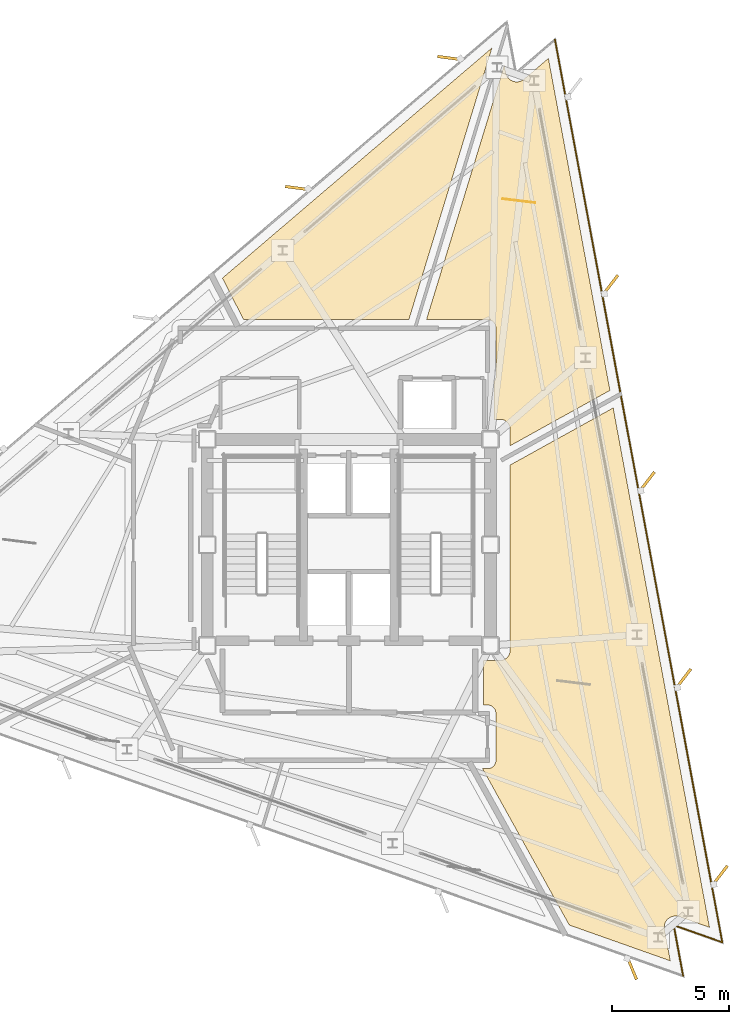
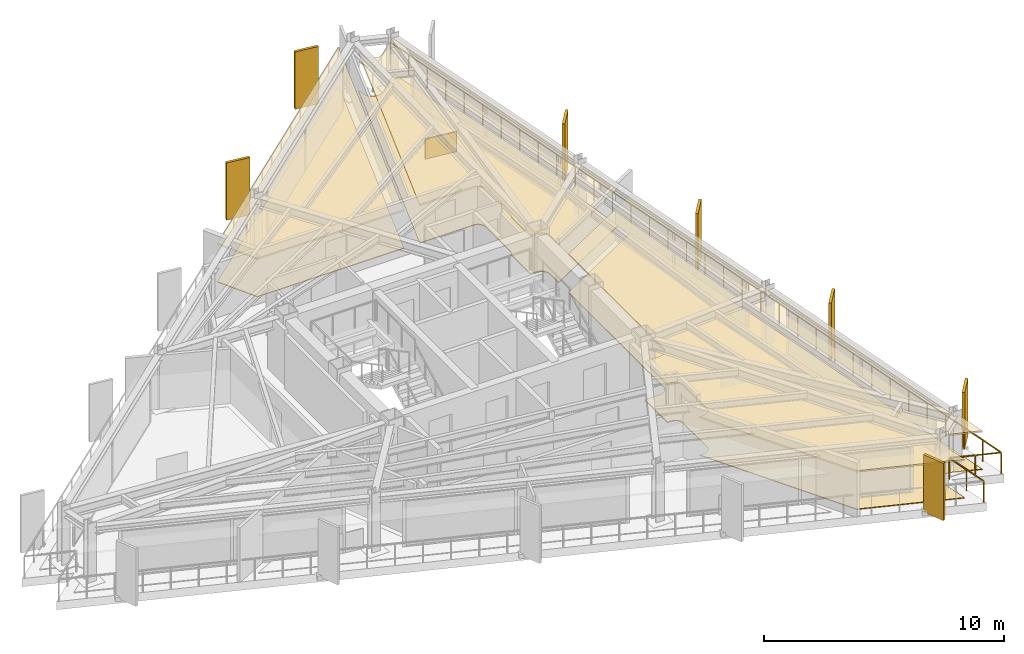
# One storey, part 13 of 14: 7 coverings, 7 shading devices, 1 railing.
"""IFC4 building model written with IfcOpenShell, lengths in metres."""

from ifc_helpers import new_model, si_unit, direction, frame, origin, origin_2d, place, context, subcontext, project, spatial, polyline, rectangle, outline, extrude, material, layer, layer_set, type_object, element, save


model = new_model("IFC4")

# Units and contexts
model_context = context("Model", 3, precision=1e-05, world=origin(), true_north=direction((0.0, 1.0)))
body_context = subcontext(model_context, "Body", "Model", "MODEL_VIEW")
ifc_project = project(units=[si_unit("LENGTHUNIT", "METRE"), si_unit("AREAUNIT", "SQUARE_METRE"), si_unit("VOLUMEUNIT", "CUBIC_METRE"), si_unit("PLANEANGLEUNIT", "RADIAN"), si_unit("MASSUNIT", "GRAM", prefix="KILO")], contexts=[model_context])

# Site, building, storey
site_placement = place(None, origin())
site = spatial("IfcSite", under=ifc_project, at=site_placement, CompositionType="ELEMENT")
building_placement = place(site_placement, origin())
building = spatial("IfcBuilding", under=site, at=building_placement, Name="Rocaltana Carrier Exchange", CompositionType="ELEMENT")
storey_placement = place(building_placement, frame((0.0, 0.0, 175.360107421875)))
storey = spatial("IfcBuildingStorey", under=building, at=storey_placement, Name="L55", CompositionType="ELEMENT", Elevation=175.360107421875)

# Coverings
ifc_material_1 = material(Name="Honed Bogota Sandstone Tile", Category="masonry")
ifc_layer_1 = layer(ifc_material_1, 0.0400390625)
ifc_layer_set_1 = layer_set([ifc_layer_1], Name="Honed Bogota Sandstone Tile")
covering_type_1 = type_object("IfcCoveringType", Name="Honed Stone Lobby Flooring 40", PredefinedType="FLOORING", material=ifc_layer_set_1)
covering_1_placement = place(storey_placement, origin())
element("IfcCovering", 1, at=covering_1_placement, inside=storey, type_object=covering_type_1, Name="L55 Cloud Architecture Office Finish Floor", PredefinedType="FLOORING", context=body_context, shape_type="SweptSolid", body=[
    extrude(outline(polyline([(5.739990234375, -6.840087890625), (5.739990234375, -4.93994140625), (6.449951171875, -4.93994140625), (6.463623046875, -4.939697265625), (6.4794921875, -4.93896484375), (6.5068359375, -4.936279296875), (6.522216796875, -4.933837890625), (6.54931640625, -4.928466796875), (6.564453125, -4.9248046875), (6.5908203125, -4.916748046875), (6.605712890625, -4.91162109375), (6.630859375, -4.90087890625), (6.64501953125, -4.894287109375), (6.66943359375, -4.88134765625), (6.682861328125, -4.873291015625), (6.705810546875, -4.85791015625), (6.71826171875, -4.8486328125), (6.739501953125, -4.8310546875), (6.751220703125, -4.820556640625), (6.7705078125, -4.80126953125), (6.781005859375, -4.78955078125), (6.798583984375, -4.768310546875), (6.807861328125, -4.755615234375), (6.8232421875, -4.73291015625), (6.831298828125, -4.719482421875), (6.84423828125, -4.695068359375), (6.850830078125, -4.680908203125), (6.861572265625, -4.655517578125), (6.86669921875, -4.640869140625), (6.874755859375, -4.614501953125), (6.87841796875, -4.59912109375), (6.8837890625, -4.572265625), (6.88623046875, -4.556884765625), (6.888916015625, -4.529296875), (6.8896484375, -4.513671875), (6.889892578125, -4.5), (6.889892578125, 3.40771484375), (11.287841796875, 5.84521484375), (15.398681640625, -16.3359375), (14.108642578125, -15.879150390625), (14.095458984375, -15.874755859375), (14.076416015625, -15.869140625), (14.04931640625, -15.8623046875), (14.02978515625, -15.858642578125), (14.001953125, -15.854736328125), (13.982177734375, -15.852783203125), (13.954345703125, -15.851806640625), (13.934326171875, -15.85205078125), (13.906494140625, -15.853515625), (13.88671875, -15.855712890625), (13.859130859375, -15.860107421875), (13.839599609375, -15.8642578125), (13.8125, -15.871337890625), (13.793701171875, -15.87744140625), (13.767333984375, -15.88720703125), (13.7490234375, -15.89501953125), (13.72412109375, -15.907470703125), (13.706787109375, -15.9169921875), (13.68310546875, -15.931884765625), (13.66650390625, -15.943359375), (13.64453125, -15.960205078125), (13.62939453125, -15.973388671875), (13.60888671875, -15.992431640625), (13.59521484375, -16.0068359375), (13.576904296875, -16.02783203125), (13.564697265625, -16.043701171875), (13.548583984375, -16.06640625), (13.537841796875, -16.083251953125), (13.524169921875, -16.107666015625), (13.51513671875, -16.12548828125), (13.50390625, -16.15087890625), (13.496826171875, -16.16943359375), (13.48828125, -16.196044921875), (13.48291015625, -16.21533203125), (13.47705078125, -16.24267578125), (13.4736328125, -16.26220703125), (13.470458984375, -16.2900390625), (13.468994140625, -16.309814453125), (13.46875, -16.337890625), (13.469482421875, -16.357666015625), (13.4716796875, -16.385498046875), (13.474365234375, -16.4052734375), (13.4765625, -16.419189453125), (13.725830078125, -17.7646484375), (9.412109375, -16.237060546875), (5.710693359375, -9.56005859375), (5.919921875, -9.56005859375), (5.93359375, -9.559814453125), (5.941650390625, -9.559326171875), (5.968994140625, -9.556640625), (5.976806640625, -9.555419921875), (6.003662109375, -9.550048828125), (6.01123046875, -9.548095703125), (6.03759765625, -9.540283203125), (6.044921875, -9.53759765625), (6.0703125, -9.527099609375), (6.077392578125, -9.523681640625), (6.101806640625, -9.5107421875), (6.1083984375, -9.506591796875), (6.131103515625, -9.491455078125), (6.137451171875, -9.48681640625), (6.15869140625, -9.46923828125), (6.16455078125, -9.464111328125), (6.18408203125, -9.444580078125), (6.189208984375, -9.438720703125), (6.206787109375, -9.41748046875), (6.21142578125, -9.4111328125), (6.226806640625, -9.388427734375), (6.230712890625, -9.381591796875), (6.24365234375, -9.357421875), (6.2470703125, -9.350341796875), (6.257568359375, -9.324951171875), (6.26025390625, -9.317626953125), (6.268310546875, -9.291259765625), (6.27001953125, -9.28369140625), (6.275390625, -9.256591796875), (6.276611328125, -9.248779296875), (6.279296875, -9.2216796875), (6.27978515625, -9.213623046875), (6.280029296875, -9.199951171875), (6.280029296875, -7.199951171875), (6.27978515625, -7.186279296875), (6.279296875, -7.178466796875), (6.276611328125, -7.151123046875), (6.275390625, -7.143310546875), (6.27001953125, -7.116455078125), (6.268310546875, -7.108642578125), (6.26025390625, -7.08251953125), (6.257568359375, -7.0751953125), (6.2470703125, -7.0498046875), (6.24365234375, -7.04248046875), (6.230712890625, -7.018310546875), (6.226806640625, -7.01171875), (6.21142578125, -6.98876953125), (6.206787109375, -6.982421875), (6.189208984375, -6.961181640625), (6.18408203125, -6.955322265625), (6.16455078125, -6.93603515625), (6.15869140625, -6.9306640625), (6.137451171875, -6.913330078125), (6.131103515625, -6.90869140625), (6.1083984375, -6.893310546875), (6.101806640625, -6.889404296875), (6.077392578125, -6.876220703125), (6.0703125, -6.873046875), (6.044921875, -6.862548828125), (6.03759765625, -6.85986328125), (6.01123046875, -6.851806640625), (6.003662109375, -6.849853515625), (5.976806640625, -6.844482421875), (5.968994140625, -6.843505859375), (5.941650390625, -6.8408203125), (5.93359375, -6.84033203125), (5.919921875, -6.840087890625), (5.739990234375, -6.840087890625)])), origin(), (0.0, 0.0, 1.0), 0.039794921875),
])
covering_2_placement = place(storey_placement, origin())
element("IfcCovering", 2, at=covering_2_placement, inside=storey, type_object=covering_type_1, Name="L55 Peering Conference Room Finish Floor", PredefinedType="FLOORING", context=body_context, shape_type="SweptSolid", body=[
    extrude(outline(polyline([(6.18994140625, 6.962158203125), (6.206787109375, 6.982421875), (6.21142578125, 6.98876953125), (6.226806640625, 7.01171875), (6.230712890625, 7.018310546875), (6.24365234375, 7.04248046875), (6.2470703125, 7.0498046875), (6.257568359375, 7.0751953125), (6.26025390625, 7.08251953125), (6.268310546875, 7.108642578125), (6.27001953125, 7.116455078125), (6.275390625, 7.143310546875), (6.276611328125, 7.151123046875), (6.279296875, 7.178466796875), (6.27978515625, 7.186279296875), (6.280029296875, 7.199951171875), (6.280029296875, 9.25), (6.27978515625, 9.263671875), (6.279296875, 9.271484375), (6.276611328125, 9.298828125), (6.275390625, 9.306640625), (6.27001953125, 9.33349609375), (6.268310546875, 9.34130859375), (6.26025390625, 9.36767578125), (6.257568359375, 9.375), (6.2470703125, 9.400390625), (6.24365234375, 9.407470703125), (6.230712890625, 9.431640625), (6.226806640625, 9.4384765625), (6.21142578125, 9.461181640625), (6.206787109375, 9.467529296875), (6.189208984375, 9.48876953125), (6.18408203125, 9.49462890625), (6.16455078125, 9.513916015625), (6.15869140625, 9.519287109375), (6.137451171875, 9.53662109375), (6.131103515625, 9.54150390625), (6.1083984375, 9.556640625), (6.101806640625, 9.560791015625), (6.077392578125, 9.57373046875), (6.0703125, 9.576904296875), (6.044921875, 9.58740234375), (6.03759765625, 9.590087890625), (6.01123046875, 9.59814453125), (6.003662109375, 9.60009765625), (5.976806640625, 9.60546875), (5.968994140625, 9.606689453125), (5.941650390625, 9.609375), (5.93359375, 9.609619140625), (5.919921875, 9.610107421875), (3.314453125, 9.610107421875), (6.6376953125, 20.479736328125), (6.697265625, 20.157958984375), (6.7001953125, 20.144287109375), (6.704833984375, 20.125), (6.712646484375, 20.09814453125), (6.718994140625, 20.079345703125), (6.7294921875, 20.053466796875), (6.73779296875, 20.035400390625), (6.7509765625, 20.010498046875), (6.760986328125, 19.993408203125), (6.7763671875, 19.97021484375), (6.7880859375, 19.9541015625), (6.8056640625, 19.932373046875), (6.819091796875, 19.91748046875), (6.838623046875, 19.897705078125), (6.853515625, 19.88427734375), (6.875, 19.866455078125), (6.89111328125, 19.8544921875), (6.914306640625, 19.839111328125), (6.931396484375, 19.828857421875), (6.955810546875, 19.815673828125), (6.973876953125, 19.80712890625), (6.999755859375, 19.796630859375), (7.0185546875, 19.789794921875), (7.04541015625, 19.781982421875), (7.064697265625, 19.777099609375), (7.092041015625, 19.77197265625), (7.11181640625, 19.76904296875), (7.1396484375, 19.7666015625), (7.159423828125, 19.765625), (7.1875, 19.76611328125), (7.207275390625, 19.76708984375), (7.235107421875, 19.770263671875), (7.2548828125, 19.773193359375), (7.281982421875, 19.779052734375), (7.301513671875, 19.7841796875), (7.327880859375, 19.79248046875), (7.3466796875, 19.799560546875), (7.372314453125, 19.810791015625), (7.39013671875, 19.819580078125), (7.41455078125, 19.8330078125), (7.431396484375, 19.843505859375), (7.454345703125, 19.859619140625), (7.47021484375, 19.87158203125), (7.48095703125, 19.880615234375), (8.521728515625, 20.769287109375), (11.1494140625, 6.591796875), (6.889892578125, 4.230712890625), (6.889892578125, 4.919921875), (6.8896484375, 4.93359375), (6.888916015625, 4.949462890625), (6.88623046875, 4.976806640625), (6.8837890625, 4.9921875), (6.87841796875, 5.019287109375), (6.874755859375, 5.034423828125), (6.86669921875, 5.060791015625), (6.861572265625, 5.07568359375), (6.850830078125, 5.100830078125), (6.84423828125, 5.114990234375), (6.831298828125, 5.139404296875), (6.8232421875, 5.15283203125), (6.807861328125, 5.17578125), (6.798583984375, 5.188232421875), (6.781005859375, 5.20947265625), (6.7705078125, 5.22119140625), (6.751220703125, 5.240478515625), (6.739501953125, 5.251220703125), (6.71826171875, 5.2685546875), (6.705810546875, 5.27783203125), (6.682861328125, 5.293212890625), (6.66943359375, 5.30126953125), (6.64501953125, 5.314208984375), (6.630859375, 5.32080078125), (6.605712890625, 5.33154296875), (6.5908203125, 5.336669921875), (6.564453125, 5.3447265625), (6.54931640625, 5.348388671875), (6.522216796875, 5.35400390625), (6.5068359375, 5.356201171875), (6.4794921875, 5.35888671875), (6.463623046875, 5.359619140625), (6.449951171875, 5.360107421875), (6.18994140625, 5.360107421875), (6.18994140625, 6.962158203125)])), origin(), (0.0, 0.0, 1.0), 0.039794921875),
])
covering_3_placement = place(storey_placement, origin())
element("IfcCovering", 3, at=covering_3_placement, inside=storey, type_object=covering_type_1, Name="L55 Optical Switching Laboratory Finish Floor", PredefinedType="FLOORING", context=body_context, shape_type="SweptSolid", body=[
    extrude(outline(polyline([(6.109619140625, 21.214599609375), (2.5615234375, 9.610107421875), (-4.492431640625, 9.610107421875), (-5.397705078125, 11.38671875), (6.109619140625, 21.214599609375)])), origin(), (0.0, 0.0, 1.0), 0.039794921875),
])
ifc_material_2 = material(Name="Anodised Aluminium 6063-T6", Category="aluminium")
ifc_layer_2 = layer(ifc_material_2, 0.0849609375)
ifc_layer_set_2 = layer_set([ifc_layer_2], Name="Anodised Aluminium 6063-T6")
covering_type_2 = type_object("IfcCoveringType", Name="Linear Baffle Acoustic Ceiling 85", PredefinedType="CEILING", material=ifc_layer_set_2)
covering_4_placement = place(storey_placement, frame((0.0, 0.0, 1.90283203125)))
element("IfcCovering", 4, at=covering_4_placement, inside=storey, type_object=covering_type_2, Name="L55 Cloud Architecture Office Acoustic Ceiling", PredefinedType="CEILING", context=body_context, shape_type="SweptSolid", body=[
    extrude(outline(polyline([(5.739990234375, -6.840087890625), (5.739990234375, -4.93994140625), (6.449951171875, -4.93994140625), (6.463623046875, -4.939697265625), (6.4794921875, -4.93896484375), (6.5068359375, -4.936279296875), (6.522216796875, -4.933837890625), (6.54931640625, -4.928466796875), (6.564453125, -4.9248046875), (6.5908203125, -4.916748046875), (6.605712890625, -4.91162109375), (6.630859375, -4.90087890625), (6.64501953125, -4.894287109375), (6.66943359375, -4.88134765625), (6.682861328125, -4.873291015625), (6.705810546875, -4.85791015625), (6.71826171875, -4.8486328125), (6.739501953125, -4.8310546875), (6.751220703125, -4.820556640625), (6.7705078125, -4.80126953125), (6.781005859375, -4.78955078125), (6.798583984375, -4.768310546875), (6.807861328125, -4.755615234375), (6.8232421875, -4.73291015625), (6.831298828125, -4.719482421875), (6.84423828125, -4.695068359375), (6.850830078125, -4.680908203125), (6.861572265625, -4.655517578125), (6.86669921875, -4.640869140625), (6.874755859375, -4.614501953125), (6.87841796875, -4.59912109375), (6.8837890625, -4.572265625), (6.88623046875, -4.556884765625), (6.888916015625, -4.529296875), (6.8896484375, -4.513671875), (6.889892578125, -4.5), (6.889892578125, 3.40771484375), (11.287841796875, 5.84521484375), (15.398681640625, -16.3359375), (14.108642578125, -15.879150390625), (14.095458984375, -15.874755859375), (14.076416015625, -15.869140625), (14.04931640625, -15.8623046875), (14.02978515625, -15.858642578125), (14.001953125, -15.854736328125), (13.982177734375, -15.852783203125), (13.954345703125, -15.851806640625), (13.934326171875, -15.85205078125), (13.906494140625, -15.853515625), (13.88671875, -15.855712890625), (13.859130859375, -15.860107421875), (13.839599609375, -15.8642578125), (13.8125, -15.871337890625), (13.793701171875, -15.87744140625), (13.767333984375, -15.88720703125), (13.7490234375, -15.89501953125), (13.72412109375, -15.907470703125), (13.706787109375, -15.9169921875), (13.68310546875, -15.931884765625), (13.66650390625, -15.943359375), (13.64453125, -15.960205078125), (13.62939453125, -15.973388671875), (13.60888671875, -15.992431640625), (13.59521484375, -16.0068359375), (13.576904296875, -16.02783203125), (13.564697265625, -16.043701171875), (13.548583984375, -16.06640625), (13.537841796875, -16.083251953125), (13.524169921875, -16.107666015625), (13.51513671875, -16.12548828125), (13.50390625, -16.15087890625), (13.496826171875, -16.16943359375), (13.48828125, -16.196044921875), (13.48291015625, -16.21533203125), (13.47705078125, -16.24267578125), (13.4736328125, -16.26220703125), (13.470458984375, -16.2900390625), (13.468994140625, -16.309814453125), (13.46875, -16.337890625), (13.469482421875, -16.357666015625), (13.4716796875, -16.385498046875), (13.474365234375, -16.4052734375), (13.4765625, -16.419189453125), (13.725830078125, -17.7646484375), (9.412109375, -16.237060546875), (5.710693359375, -9.56005859375), (5.919921875, -9.56005859375), (5.93359375, -9.559814453125), (5.941650390625, -9.559326171875), (5.968994140625, -9.556640625), (5.976806640625, -9.555419921875), (6.003662109375, -9.550048828125), (6.01123046875, -9.548095703125), (6.03759765625, -9.540283203125), (6.044921875, -9.53759765625), (6.0703125, -9.527099609375), (6.077392578125, -9.523681640625), (6.101806640625, -9.5107421875), (6.1083984375, -9.506591796875), (6.131103515625, -9.491455078125), (6.137451171875, -9.48681640625), (6.15869140625, -9.46923828125), (6.16455078125, -9.464111328125), (6.18408203125, -9.444580078125), (6.189208984375, -9.438720703125), (6.206787109375, -9.41748046875), (6.21142578125, -9.4111328125), (6.226806640625, -9.388427734375), (6.230712890625, -9.381591796875), (6.24365234375, -9.357421875), (6.2470703125, -9.350341796875), (6.257568359375, -9.324951171875), (6.26025390625, -9.317626953125), (6.268310546875, -9.291259765625), (6.27001953125, -9.28369140625), (6.275390625, -9.256591796875), (6.276611328125, -9.248779296875), (6.279296875, -9.2216796875), (6.27978515625, -9.213623046875), (6.280029296875, -9.199951171875), (6.280029296875, -7.199951171875), (6.27978515625, -7.186279296875), (6.279296875, -7.178466796875), (6.276611328125, -7.151123046875), (6.275390625, -7.143310546875), (6.27001953125, -7.116455078125), (6.268310546875, -7.108642578125), (6.26025390625, -7.08251953125), (6.257568359375, -7.0751953125), (6.2470703125, -7.0498046875), (6.24365234375, -7.04248046875), (6.230712890625, -7.018310546875), (6.226806640625, -7.01171875), (6.21142578125, -6.98876953125), (6.206787109375, -6.982421875), (6.189208984375, -6.961181640625), (6.18408203125, -6.955322265625), (6.16455078125, -6.93603515625), (6.15869140625, -6.9306640625), (6.137451171875, -6.913330078125), (6.131103515625, -6.90869140625), (6.1083984375, -6.893310546875), (6.101806640625, -6.889404296875), (6.077392578125, -6.876220703125), (6.0703125, -6.873046875), (6.044921875, -6.862548828125), (6.03759765625, -6.85986328125), (6.01123046875, -6.851806640625), (6.003662109375, -6.849853515625), (5.976806640625, -6.844482421875), (5.968994140625, -6.843505859375), (5.941650390625, -6.8408203125), (5.93359375, -6.84033203125), (5.919921875, -6.840087890625), (5.739990234375, -6.840087890625)])), origin(), (0.0, 0.0, 1.0), 0.0849609375),
])
covering_5_placement = place(storey_placement, frame((0.0, 0.0, 1.90283203125)))
element("IfcCovering", 5, at=covering_5_placement, inside=storey, type_object=covering_type_2, Name="L55 Peering Conference Room Acoustic Ceiling", PredefinedType="CEILING", context=body_context, shape_type="SweptSolid", body=[
    extrude(outline(polyline([(6.18994140625, 6.962158203125), (6.206787109375, 6.982421875), (6.21142578125, 6.98876953125), (6.226806640625, 7.01171875), (6.230712890625, 7.018310546875), (6.24365234375, 7.04248046875), (6.2470703125, 7.0498046875), (6.257568359375, 7.0751953125), (6.26025390625, 7.08251953125), (6.268310546875, 7.108642578125), (6.27001953125, 7.116455078125), (6.275390625, 7.143310546875), (6.276611328125, 7.151123046875), (6.279296875, 7.178466796875), (6.27978515625, 7.186279296875), (6.280029296875, 7.199951171875), (6.280029296875, 9.25), (6.27978515625, 9.263671875), (6.279296875, 9.271484375), (6.276611328125, 9.298828125), (6.275390625, 9.306640625), (6.27001953125, 9.33349609375), (6.268310546875, 9.34130859375), (6.26025390625, 9.36767578125), (6.257568359375, 9.375), (6.2470703125, 9.400390625), (6.24365234375, 9.407470703125), (6.230712890625, 9.431640625), (6.226806640625, 9.4384765625), (6.21142578125, 9.461181640625), (6.206787109375, 9.467529296875), (6.189208984375, 9.48876953125), (6.18408203125, 9.49462890625), (6.16455078125, 9.513916015625), (6.15869140625, 9.519287109375), (6.137451171875, 9.53662109375), (6.131103515625, 9.54150390625), (6.1083984375, 9.556640625), (6.101806640625, 9.560791015625), (6.077392578125, 9.57373046875), (6.0703125, 9.576904296875), (6.044921875, 9.58740234375), (6.03759765625, 9.590087890625), (6.01123046875, 9.59814453125), (6.003662109375, 9.60009765625), (5.976806640625, 9.60546875), (5.968994140625, 9.606689453125), (5.941650390625, 9.609375), (5.93359375, 9.609619140625), (5.919921875, 9.610107421875), (3.314453125, 9.610107421875), (6.6376953125, 20.479736328125), (6.697265625, 20.157958984375), (6.7001953125, 20.144287109375), (6.704833984375, 20.125), (6.712646484375, 20.09814453125), (6.718994140625, 20.079345703125), (6.7294921875, 20.053466796875), (6.73779296875, 20.035400390625), (6.7509765625, 20.010498046875), (6.760986328125, 19.993408203125), (6.7763671875, 19.97021484375), (6.7880859375, 19.9541015625), (6.8056640625, 19.932373046875), (6.819091796875, 19.91748046875), (6.838623046875, 19.897705078125), (6.853515625, 19.88427734375), (6.875, 19.866455078125), (6.89111328125, 19.8544921875), (6.914306640625, 19.839111328125), (6.931396484375, 19.828857421875), (6.955810546875, 19.815673828125), (6.973876953125, 19.80712890625), (6.999755859375, 19.796630859375), (7.0185546875, 19.789794921875), (7.04541015625, 19.781982421875), (7.064697265625, 19.777099609375), (7.092041015625, 19.77197265625), (7.11181640625, 19.76904296875), (7.1396484375, 19.7666015625), (7.159423828125, 19.765625), (7.1875, 19.76611328125), (7.207275390625, 19.76708984375), (7.235107421875, 19.770263671875), (7.2548828125, 19.773193359375), (7.281982421875, 19.779052734375), (7.301513671875, 19.7841796875), (7.327880859375, 19.79248046875), (7.3466796875, 19.799560546875), (7.372314453125, 19.810791015625), (7.39013671875, 19.819580078125), (7.41455078125, 19.8330078125), (7.431396484375, 19.843505859375), (7.454345703125, 19.859619140625), (7.47021484375, 19.87158203125), (7.48095703125, 19.880615234375), (8.521728515625, 20.769287109375), (11.1494140625, 6.591796875), (6.889892578125, 4.230712890625), (6.889892578125, 4.919921875), (6.8896484375, 4.93359375), (6.888916015625, 4.949462890625), (6.88623046875, 4.976806640625), (6.8837890625, 4.9921875), (6.87841796875, 5.019287109375), (6.874755859375, 5.034423828125), (6.86669921875, 5.060791015625), (6.861572265625, 5.07568359375), (6.850830078125, 5.100830078125), (6.84423828125, 5.114990234375), (6.831298828125, 5.139404296875), (6.8232421875, 5.15283203125), (6.807861328125, 5.17578125), (6.798583984375, 5.188232421875), (6.781005859375, 5.20947265625), (6.7705078125, 5.22119140625), (6.751220703125, 5.240478515625), (6.739501953125, 5.251220703125), (6.71826171875, 5.2685546875), (6.705810546875, 5.27783203125), (6.682861328125, 5.293212890625), (6.66943359375, 5.30126953125), (6.64501953125, 5.314208984375), (6.630859375, 5.32080078125), (6.605712890625, 5.33154296875), (6.5908203125, 5.336669921875), (6.564453125, 5.3447265625), (6.54931640625, 5.348388671875), (6.522216796875, 5.35400390625), (6.5068359375, 5.356201171875), (6.4794921875, 5.35888671875), (6.463623046875, 5.359619140625), (6.449951171875, 5.360107421875), (6.18994140625, 5.360107421875), (6.18994140625, 6.962158203125)])), origin(), (0.0, 0.0, 1.0), 0.0849609375),
])
covering_6_placement = place(storey_placement, frame((0.0, 0.0, 1.90283203125)))
element("IfcCovering", 6, at=covering_6_placement, inside=storey, type_object=covering_type_2, Name="L55 Optical Switching Laboratory Acoustic Ceiling", PredefinedType="CEILING", context=body_context, shape_type="SweptSolid", body=[
    extrude(outline(polyline([(6.109619140625, 21.214599609375), (2.5615234375, 9.610107421875), (-4.492431640625, 9.610107421875), (-5.397705078125, 11.38671875), (6.109619140625, 21.214599609375)])), origin(), (0.0, 0.0, 1.0), 0.0849609375),
])
ifc_material_3 = material(Name="Honed Piedra Muneca Sandstone", Category="masonry")
ifc_layer_3 = layer(ifc_material_3, 0.034912109375)
ifc_layer_set_3 = layer_set([ifc_layer_3], Name="Honed Piedra Muneca Sandstone")
covering_type_3 = type_object("IfcCoveringType", Name="Stone Facade Cladding 35", PredefinedType="CLADDING", material=ifc_layer_set_3)
covering_7_placement = place(storey_placement, frame((7.2578125, 14.68798828125, 0.0), z_axis=(0.0, 0.0, 1.0), x_axis=(-0.992546151641, 0.121869343405, 0.0)))
element("IfcCovering", 7, at=covering_7_placement, inside=storey, type_object=covering_type_3, Name="L55 Stone Facade Cladding Panel 5", PredefinedType="CLADDING", context=body_context, shape_type="SweptSolid", body=[
    extrude(rectangle(XDim=1.39990234375, YDim=0.034912109375, at=origin_2d()), origin(), (0.0, 0.0, 1.0), 1.050048828125),
])

# Shading devices
ifc_material_4 = material(Name="Honed Bogota Sandstone & Concrete C45/55", Category="masonry")
ifc_layer_4 = layer(ifc_material_4, 0.1201171875)
ifc_layer_set_4 = layer_set([ifc_layer_4], Name="Honed Bogota Sandstone & Concrete C45/55")
shading_device_type = type_object("IfcShadingDeviceType", Name="Upper Sandstone Shading Fin 1050x120", PredefinedType="USERDEFINED", material=ifc_layer_set_4)
for number, where, z_axis, x_axis, name in (
    (8, (15.84375, -14.124755859375, -0.1201171875), (0.0, 0.0, 1.0), (0.608761429009, 0.793353340291, 0.0), "L55 Sandstone Vertical Fin F1-01"),
    (9, (14.28564453125, -5.718017578125, -0.1201171875), (0.0, 0.0, 1.0), (0.608761429009, 0.793353340291, 0.0), "L55 Sandstone Vertical Fin F1-02"),
    (10, (12.7275390625, 2.68896484375, -0.1201171875), (0.0, 0.0, 1.0), (0.608761429009, 0.793353340291, 0.0), "L55 Sandstone Vertical Fin F1-03"),
    (11, (11.16943359375, 11.095703125, -0.1201171875), (0.0, 0.0, 1.0), (0.608761429009, 0.793353340291, 0.0), "L55 Sandstone Vertical Fin F1-04"),
    (12, (4.310546875, 20.783447265625, -0.1201171875), (0.0, 0.0, 1.0), (-0.991444861374, 0.13052619222, 0.0), "L55 Sandstone Vertical Fin F2-01"),
    (13, (-2.19091796875, 15.230712890625, -0.1201171875), (0.0, 0.0, 1.0), (-0.991444861374, 0.13052619222, 0.0), "L55 Sandstone Vertical Fin F2-02"),
    (14, (12.083984375, -18.074951171875, -0.1201171875), (0.0, 0.0, 1.0), (0.382683432365, -0.923879532511, 0.0), "L55 Sandstone Vertical Fin F3-05"),
):
    element("IfcShadingDevice", number, at=place(storey_placement, frame(where, z_axis=z_axis, x_axis=x_axis)), inside=storey, type_object=shading_device_type, Name=name, ObjectType="FIN", PredefinedType="USERDEFINED", context=body_context, shape_type="SweptSolid", body=[
        extrude(rectangle(XDim=1.050048828125, YDim=0.1201171875, at=origin_2d()), origin(), (0.0, 0.0, 1.0), 2.91796875),
    ])

# Railing
ifc_material_5 = material(Name="Powder-Coated Aluminium 6063-T6", Category="aluminium")
ifc_layer_5 = layer(ifc_material_5, 0.06005859375)
ifc_layer_set_5 = layer_set([ifc_layer_5], Name="Powder-Coated Aluminium 6063-T6")
railing_type = type_object("IfcRailingType", Name="Wind-Floor & Terrace Perimeter Guardrail 1100", PredefinedType="GUARDRAIL", material=ifc_layer_set_5)
railing_placement = place(storey_placement, frame((8.802001953125, 21.561279296875, 0.0)))
element("IfcRailing", 15, at=railing_placement, inside=storey, type_object=railing_type, Name="L55 Perimeter Balcony Guardrail 3", PredefinedType="GUARDRAIL", context=body_context, shape_type="SweptSolid", body=[
    extrude(rectangle(XDim=0.048095703125, YDim=0.048095703125, at=origin_2d()), frame((0.0, 0.0, 1.076171875), z_axis=(0.182238712152, -0.983254316946, 0.0), x_axis=(0.983254316946, 0.182238712152, 0.0)), (0.0, 0.0, 1.0), 39.192138671875),
    extrude(rectangle(XDim=0.048095703125, YDim=0.048095703125, at=origin_2d()), frame((7.142333984375, -38.535888671875, 1.076171875), z_axis=(-0.942672327986, 0.333719765747, 0.0), x_axis=(-0.333719765747, -0.942672327986, 0.0)), (0.0, 0.0, 1.0), 2.199951171875),
    extrude(rectangle(XDim=0.048095703125, YDim=0.048095703125, at=origin_2d()), frame((5.068603515625, -37.8017578125, 1.076171875), z_axis=(0.1822243738, -0.983256974342, 0.0), x_axis=(0.983256974342, 0.1822243738, 0.0)), (0.0, 0.0, 1.0), 2.199951171875),
    extrude(rectangle(XDim=0.0419921875, YDim=0.0419921875, at=origin_2d()), origin(), (0.0, 0.0, 1.0), 1.052001953125),
    extrude(rectangle(XDim=0.0419921875, YDim=0.0419921875, at=origin_2d()), frame((0.216552734375, -1.167724609375, 0.0)), (0.0, 0.0, 1.0), 1.052001953125),
    extrude(rectangle(XDim=0.0419921875, YDim=0.0419921875, at=origin_2d()), frame((0.432861328125, -2.33544921875, 0.0)), (0.0, 0.0, 1.0), 1.052001953125),
    extrude(rectangle(XDim=0.0419921875, YDim=0.0419921875, at=origin_2d()), frame((0.6494140625, -3.503173828125, 0.0)), (0.0, 0.0, 1.0), 1.052001953125),
    extrude(rectangle(XDim=0.0419921875, YDim=0.0419921875, at=origin_2d()), frame((0.86572265625, -4.6708984375, 0.0)), (0.0, 0.0, 1.0), 1.052001953125),
    extrude(rectangle(XDim=0.0419921875, YDim=0.0419921875, at=origin_2d()), frame((1.082275390625, -5.8388671875, 0.0)), (0.0, 0.0, 1.0), 1.052001953125),
    extrude(rectangle(XDim=0.0419921875, YDim=0.0419921875, at=origin_2d()), frame((1.298583984375, -7.006591796875, 0.0)), (0.0, 0.0, 1.0), 1.052001953125),
    extrude(rectangle(XDim=0.0419921875, YDim=0.0419921875, at=origin_2d()), frame((1.51513671875, -8.17431640625, 0.0)), (0.0, 0.0, 1.0), 1.052001953125),
    extrude(rectangle(XDim=0.0419921875, YDim=0.0419921875, at=origin_2d()), frame((1.7314453125, -9.342041015625, 0.0)), (0.0, 0.0, 1.0), 1.052001953125),
    extrude(rectangle(XDim=0.0419921875, YDim=0.0419921875, at=origin_2d()), frame((1.947998046875, -10.509765625, 0.0)), (0.0, 0.0, 1.0), 1.052001953125),
    extrude(rectangle(XDim=0.0419921875, YDim=0.0419921875, at=origin_2d()), frame((2.164306640625, -11.677490234375, 0.0)), (0.0, 0.0, 1.0), 1.052001953125),
    extrude(rectangle(XDim=0.0419921875, YDim=0.0419921875, at=origin_2d()), frame((2.380859375, -12.84521484375, 0.0)), (0.0, 0.0, 1.0), 1.052001953125),
    extrude(rectangle(XDim=0.0419921875, YDim=0.0419921875, at=origin_2d()), frame((2.59716796875, -14.012939453125, 0.0)), (0.0, 0.0, 1.0), 1.052001953125),
    extrude(rectangle(XDim=0.0419921875, YDim=0.0419921875, at=origin_2d()), frame((2.813720703125, -15.180908203125, 0.0)), (0.0, 0.0, 1.0), 1.052001953125),
    extrude(rectangle(XDim=0.0419921875, YDim=0.0419921875, at=origin_2d()), frame((3.030029296875, -16.3486328125, 0.0)), (0.0, 0.0, 1.0), 1.052001953125),
    extrude(rectangle(XDim=0.0419921875, YDim=0.0419921875, at=origin_2d()), frame((3.24658203125, -17.516357421875, 0.0)), (0.0, 0.0, 1.0), 1.052001953125),
    extrude(rectangle(XDim=0.0419921875, YDim=0.0419921875, at=origin_2d()), frame((3.462890625, -18.68408203125, 0.0)), (0.0, 0.0, 1.0), 1.052001953125),
    extrude(rectangle(XDim=0.0419921875, YDim=0.0419921875, at=origin_2d()), frame((3.679443359375, -19.851806640625, 0.0)), (0.0, 0.0, 1.0), 1.052001953125),
    extrude(rectangle(XDim=0.0419921875, YDim=0.0419921875, at=origin_2d()), frame((3.895751953125, -21.01953125, 0.0)), (0.0, 0.0, 1.0), 1.052001953125),
    extrude(rectangle(XDim=0.0419921875, YDim=0.0419921875, at=origin_2d()), frame((4.1123046875, -22.187255859375, 0.0)), (0.0, 0.0, 1.0), 1.052001953125),
    extrude(rectangle(XDim=0.0419921875, YDim=0.0419921875, at=origin_2d()), frame((4.32861328125, -23.35498046875, 0.0)), (0.0, 0.0, 1.0), 1.052001953125),
    extrude(rectangle(XDim=0.0419921875, YDim=0.0419921875, at=origin_2d()), frame((4.545166015625, -24.52294921875, 0.0)), (0.0, 0.0, 1.0), 1.052001953125),
    extrude(rectangle(XDim=0.0419921875, YDim=0.0419921875, at=origin_2d()), frame((4.761474609375, -25.690673828125, 0.0)), (0.0, 0.0, 1.0), 1.052001953125),
    extrude(rectangle(XDim=0.0419921875, YDim=0.0419921875, at=origin_2d()), frame((4.97802734375, -26.8583984375, 0.0)), (0.0, 0.0, 1.0), 1.052001953125),
    extrude(rectangle(XDim=0.0419921875, YDim=0.0419921875, at=origin_2d()), frame((5.1943359375, -28.026123046875, 0.0)), (0.0, 0.0, 1.0), 1.052001953125),
    extrude(rectangle(XDim=0.0419921875, YDim=0.0419921875, at=origin_2d()), frame((5.410888671875, -29.19384765625, 0.0)), (0.0, 0.0, 1.0), 1.052001953125),
    extrude(rectangle(XDim=0.0419921875, YDim=0.0419921875, at=origin_2d()), frame((5.627197265625, -30.361572265625, 0.0)), (0.0, 0.0, 1.0), 1.052001953125),
    extrude(rectangle(XDim=0.0419921875, YDim=0.0419921875, at=origin_2d()), frame((5.84375, -31.529296875, 0.0)), (0.0, 0.0, 1.0), 1.052001953125),
    extrude(rectangle(XDim=0.0419921875, YDim=0.0419921875, at=origin_2d()), frame((6.06005859375, -32.697021484375, 0.0)), (0.0, 0.0, 1.0), 1.052001953125),
    extrude(rectangle(XDim=0.0419921875, YDim=0.0419921875, at=origin_2d()), frame((6.276611328125, -33.864990234375, 0.0)), (0.0, 0.0, 1.0), 1.052001953125),
    extrude(rectangle(XDim=0.0419921875, YDim=0.0419921875, at=origin_2d()), frame((6.492919921875, -35.03271484375, 0.0)), (0.0, 0.0, 1.0), 1.052001953125),
    extrude(rectangle(XDim=0.0419921875, YDim=0.0419921875, at=origin_2d()), frame((6.70947265625, -36.200439453125, 0.0)), (0.0, 0.0, 1.0), 1.052001953125),
    extrude(rectangle(XDim=0.0419921875, YDim=0.0419921875, at=origin_2d()), frame((6.92578125, -37.3681640625, 0.0)), (0.0, 0.0, 1.0), 1.052001953125),
    extrude(rectangle(XDim=0.0419921875, YDim=0.0419921875, at=origin_2d()), frame((7.142333984375, -38.535888671875, 0.0)), (0.0, 0.0, 1.0), 1.052001953125),
    extrude(rectangle(XDim=0.0419921875, YDim=0.0419921875, at=origin_2d()), frame((6.10546875, -38.1689453125, 0.0)), (0.0, 0.0, 1.0), 1.052001953125),
    extrude(rectangle(XDim=0.0419921875, YDim=0.0419921875, at=origin_2d()), frame((5.068603515625, -37.8017578125, 0.0)), (0.0, 0.0, 1.0), 1.052001953125),
    extrude(rectangle(XDim=0.0419921875, YDim=0.0419921875, at=origin_2d()), frame((5.26904296875, -38.88330078125, 0.0)), (0.0, 0.0, 1.0), 1.052001953125),
    extrude(rectangle(XDim=0.0419921875, YDim=0.0419921875, at=origin_2d()), frame((5.469482421875, -39.96484375, 0.0)), (0.0, 0.0, 1.0), 1.052001953125),
])

save(model, "model.ifc")
